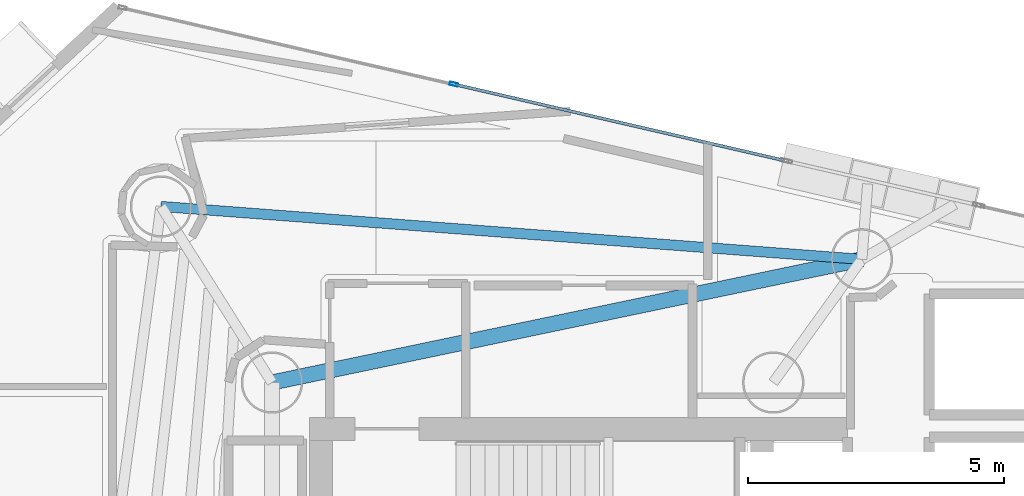
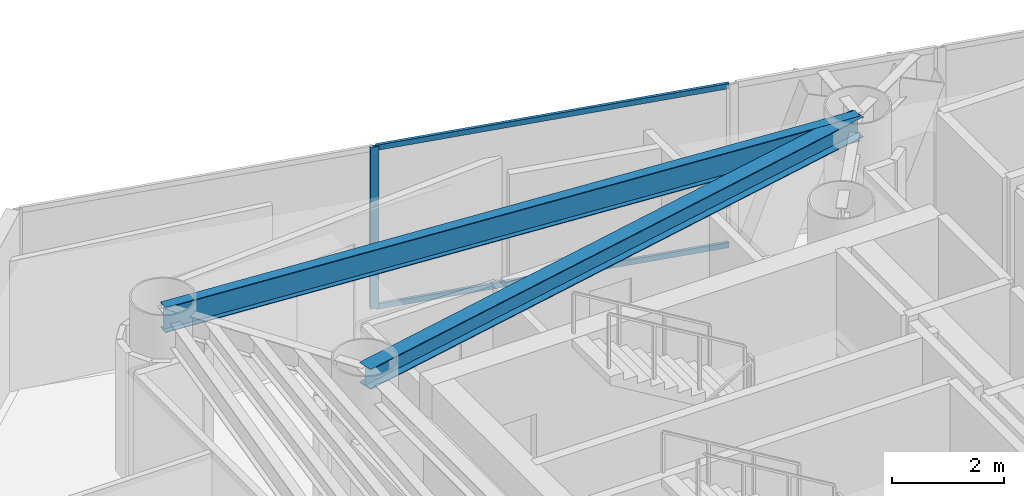
# One storey, part 11 of 22: 3 members, 2 beams, 1 element without a shape of its own.
"""IFC4 building model written with IfcOpenShell, lengths in metres."""

from ifc_helpers import new_model, si_unit, direction, frame, origin, origin_2d, place, context, subcontext, project, spatial, hollow_rectangle, i_section, extrude, material, layer, layer_set, material_profile, profile_set, type_object, element, aggregate, save


model = new_model("IFC4")

# Units and contexts
model_context = context("Model", 3, precision=1e-05, world=origin(), true_north=direction((0.0, 1.0)))
body_context = subcontext(model_context, "Body", "Model", "MODEL_VIEW")
ifc_project = project(units=[si_unit("LENGTHUNIT", "METRE"), si_unit("AREAUNIT", "SQUARE_METRE"), si_unit("VOLUMEUNIT", "CUBIC_METRE"), si_unit("PLANEANGLEUNIT", "RADIAN"), si_unit("MASSUNIT", "GRAM", prefix="KILO")], contexts=[model_context])

# Site, building, storey
site_placement = place(None, origin())
site = spatial("IfcSite", under=ifc_project, at=site_placement, CompositionType="ELEMENT")
building_placement = place(site_placement, origin())
building = spatial("IfcBuilding", under=site, at=building_placement, Name="Qianvela Tower", CompositionType="ELEMENT")
storey_placement = place(building_placement, frame((0.0, 0.0, 200.300048828125)))
storey = spatial("IfcBuildingStorey", under=building, at=storey_placement, Name="L51", CompositionType="ELEMENT", Elevation=200.300048828125)

# Beams
ifc_material_1 = material(Name="Steel Q355B", Category="steel")
ifc_material_profile_1 = material_profile(ifc_material_1, i_section(OverallWidth=0.300048828125, OverallDepth=0.43994140625, WebThickness=0.010986328125, FlangeThickness=0.01806640625, at=origin_2d()), Name="HM440x300x11x18")
ifc_profile_set_1 = profile_set([ifc_material_profile_1], Name="Steel Q355B")
beam_type_1 = type_object("IfcBeamType", Name="BM-HM440-COLL", PredefinedType="BEAM", material=ifc_profile_set_1)
beam_1_placement = place(storey_placement, frame((28.60009765625, 33.550048828125, 3.2978515625), z_axis=(0.978884270582, 0.204415226456, 0.0), x_axis=(-0.204415226456, 0.978884270582, 0.0)))
element("IfcBeam", 1, at=beam_1_placement, inside=storey, type_object=beam_type_1, Name="L51 Perimeter Ring Tie Girder 1B", PredefinedType="BEAM", context=body_context, shape_type="SweptSolid", body=[
    extrude(i_section(OverallWidth=0.300048828125, OverallDepth=0.43994140625, WebThickness=0.010986328125, FlangeThickness=0.01806640625, at=origin_2d()), origin(), (0.0, 0.0, 1.0), 11.77978515625),
])
ifc_material_2 = material(Name="Steel Q355B", Category="steel")
ifc_material_profile_2 = material_profile(ifc_material_2, i_section(OverallWidth=0.199951171875, OverallDepth=0.550048828125, WebThickness=0.010009765625, FlangeThickness=0.01611328125, at=origin_2d()), Name="HN550x200x10x16")
ifc_profile_set_2 = profile_set([ifc_material_profile_2], Name="Steel Q355B")
beam_type_2 = type_object("IfcBeamType", Name="BM-HN550-GIRD", PredefinedType="BEAM", material=ifc_profile_set_2)
beam_2_placement = place(storey_placement, frame((40.131103515625, 35.9580078125, 3.242919921875), z_axis=(-0.997164346928, 0.075254669065, 0.0), x_axis=(-0.075254669065, -0.997164346928, 0.0)))
element("IfcBeam", 2, at=beam_2_placement, inside=storey, type_object=beam_type_2, Name="L51 Perimeter Ring Spandrel Girder 2", PredefinedType="BEAM", context=body_context, shape_type="SweptSolid", body=[
    extrude(i_section(OverallWidth=0.199951171875, OverallDepth=0.550048828125, WebThickness=0.010009765625, FlangeThickness=0.01611328125, at=origin_2d()), origin(), (0.0, 0.0, 1.0), 13.7392578125),
])

# Curtain wall, members
ifc_material_3 = material(Name="Anodised Architectural Aluminium and Low-E Glass", Category="aluminium")
ifc_layer = layer(ifc_material_3, 0.159912109375)
ifc_layer_set = layer_set([ifc_layer], Name="Anodised Architectural Aluminium and Low-E Glass")
curtain_wall_type = type_object("IfcCurtainWallType", Name="CW-COLIV-Z56", PredefinedType="USERDEFINED", material=ifc_layer_set)
curtain_wall_placement = place(storey_placement, origin())
curtain_wall = element("IfcCurtainWall", 3, at=curtain_wall_placement, inside=storey, type_object=curtain_wall_type, Name="L51 CW-COLIV-Z56 Curtain Wall 02C", ObjectType="CURTAIN_WALL_SYSTEM", PredefinedType="USERDEFINED")
ifc_material_4 = material(Name="Anodised Architectural Aluminium 6063-T6", Category="aluminium")
ifc_material_profile_3 = material_profile(ifc_material_4, hollow_rectangle(XDim=0.06494140625, YDim=0.159912109375, WallThickness=0.0048828125, at=origin_2d()), Name="ALU-MULL-65x160")
ifc_profile_set_3 = profile_set([ifc_material_profile_3], Name="Anodised Architectural Aluminium 6063-T6")
member_type_1 = type_object("IfcMemberType", Name="CW-COLIV-Z56-MULL", PredefinedType="MULLION", material=ifc_profile_set_3)
member_1_placement = place(storey_placement, frame((32.15283203125, 39.38134765625, 0.0), z_axis=(0.0, 0.0, 1.0), x_axis=(-0.224830507229, -0.974397887425, 0.0)))
member_1 = element("IfcMember", 4, at=member_1_placement, type_object=member_type_1, Name="CW-5 mullion 2", PredefinedType="MULLION", context=body_context, shape_type="SweptSolid", body=[
    extrude(hollow_rectangle(XDim=0.06494140625, YDim=0.159912109375, WallThickness=0.0048828125, at=origin_2d()), origin(), (0.0, 0.0, 1.0), 3.52001953125),
])
ifc_material_5 = material(Name="Anodised Architectural Aluminium 6063-T6", Category="aluminium")
ifc_material_profile_4 = material_profile(ifc_material_5, hollow_rectangle(XDim=0.06005859375, YDim=0.114990234375, WallThickness=0.00390625, at=origin_2d()), Name="ALU-TRAN-60x115")
ifc_profile_set_4 = profile_set([ifc_material_profile_4], Name="Anodised Architectural Aluminium 6063-T6")
member_type_2 = type_object("IfcMemberType", Name="CW-COLIV-Z56-TRAN", PredefinedType="USERDEFINED", material=ifc_profile_set_4)
member_2_placement = place(storey_placement, frame((38.592529296875, 37.8955078125, 0.030029296875), z_axis=(-0.974399329015, 0.224824259402, 0.0), x_axis=(-0.224824259402, -0.974399329015, 0.0)))
member_2 = element("IfcMember", 5, at=member_2_placement, type_object=member_type_2, Name="CW-5 transom 1.1", ObjectType="TRANSOM", PredefinedType="USERDEFINED", context=body_context, shape_type="SweptSolid", body=[
    extrude(hollow_rectangle(XDim=0.06005859375, YDim=0.114990234375, WallThickness=0.00390625, at=origin_2d()), origin(), (0.0, 0.0, 1.0), 6.576416015625),
])
member_3_placement = place(storey_placement, frame((38.592529296875, 37.8955078125, 3.489990234375), z_axis=(-0.974399329015, 0.224824259402, 0.0), x_axis=(-0.224824259402, -0.974399329015, 0.0)))
member_3 = element("IfcMember", 6, at=member_3_placement, type_object=member_type_2, Name="CW-5 transom 1.2", ObjectType="TRANSOM", PredefinedType="USERDEFINED", context=body_context, shape_type="SweptSolid", body=[
    extrude(hollow_rectangle(XDim=0.06005859375, YDim=0.114990234375, WallThickness=0.00390625, at=origin_2d()), origin(), (0.0, 0.0, 1.0), 6.576416015625),
])
aggregate(curtain_wall, [member_1, member_2, member_3])

save(model, "model.ifc")
